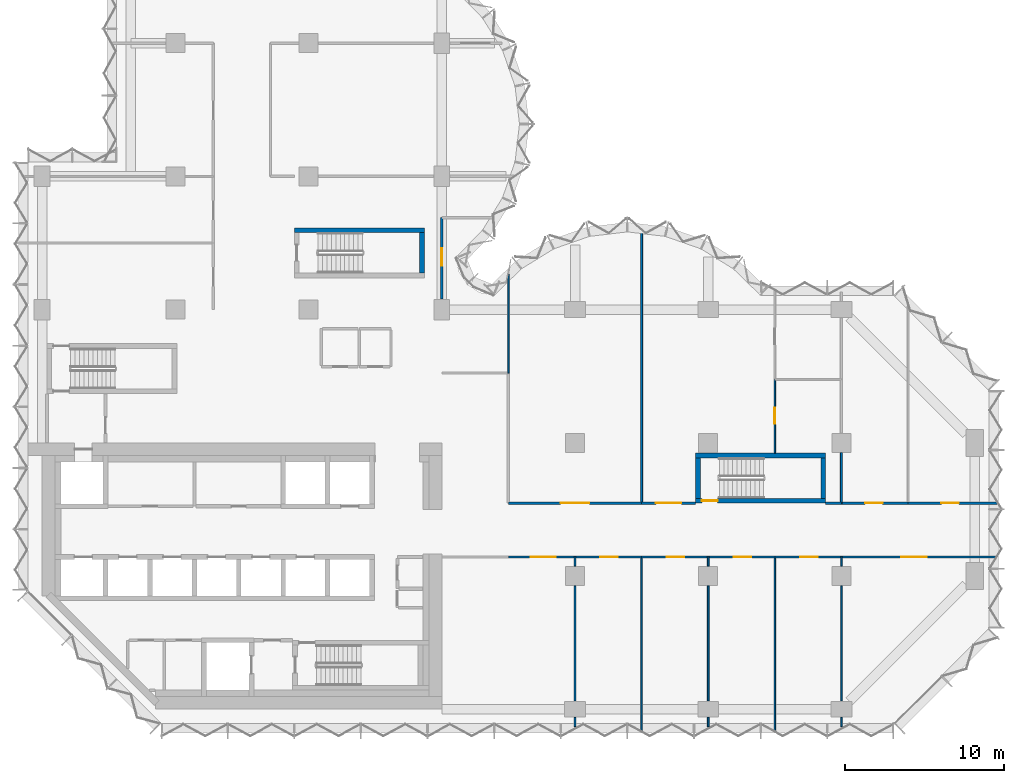
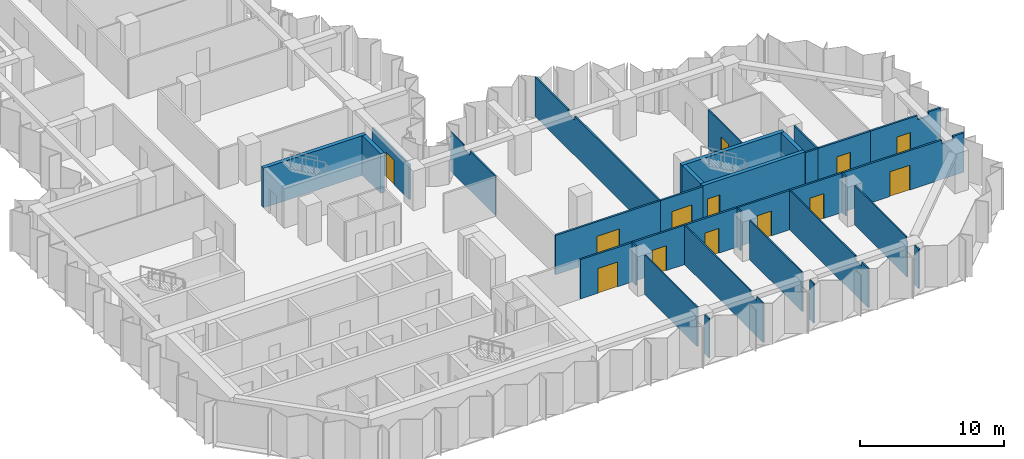
# One storey, part 7 of 11: 33 walls, 13 doors, 13 openings.
"""IFC4 building model written with IfcOpenShell, lengths in metres."""

from ifc_helpers import new_model, si_unit, direction, frame, frame_2d, origin, place, context, subcontext, project, spatial, polyline, rectangle, outline, extrude, material, layer, layer_set, type_object, element, fill, save


model = new_model("IFC4")

# Units and contexts
model_context = context("Model", 3, precision=1e-05, world=origin(), true_north=direction((0.0, 1.0)))
body_context = subcontext(model_context, "Body", "Model", "MODEL_VIEW")
ifc_project = project(units=[si_unit("LENGTHUNIT", "METRE"), si_unit("AREAUNIT", "SQUARE_METRE"), si_unit("VOLUMEUNIT", "CUBIC_METRE"), si_unit("PLANEANGLEUNIT", "RADIAN"), si_unit("MASSUNIT", "GRAM", prefix="KILO")], contexts=[model_context])

# Site, building, storey
site_placement = place(None, origin())
site = spatial("IfcSite", under=ifc_project, at=site_placement, CompositionType="ELEMENT")
building_placement = place(site_placement, origin())
building = spatial("IfcBuilding", under=site, at=building_placement, Name="Brevane Broadcast Tower", CompositionType="ELEMENT")
storey_placement = place(building_placement, frame((0.0, 0.0, 145.699951171875)))
storey = spatial("IfcBuildingStorey", under=building, at=storey_placement, Name="L36", CompositionType="ELEMENT", Elevation=145.699951171875)

# Walls
ifc_material_1 = material(Name="Concrete C60/75", Category="concrete")
ifc_layer_1 = layer(ifc_material_1, 0.300048828125)
ifc_layer_set_1 = layer_set([ifc_layer_1], Name="Core wall 300 mm C60/75")
wall_type_1 = type_object("IfcWallType", Name="Core wall 300 mm C60/75", PredefinedType="SHEAR", material=ifc_layer_set_1)
wall_1_placement = place(storey_placement, frame((15.89990234375, 30.199951171875, 0.0), z_axis=(0.0, 0.0, 1.0), x_axis=(1.0, 0.0, 0.0)))
element("IfcWall", 1, at=wall_1_placement, inside=storey, type_object=wall_type_1, Name="L36 stair wall ST-3-N", PredefinedType="SHEAR", context=body_context, shape_type="SweptSolid", body=[
    extrude(rectangle(XDim=8.2001953125, YDim=0.300048828125, at=frame_2d((4.10009765625, 0.0))), origin(), (0.0, 0.0, 1.0), 3.35009765625),
])
wall_2_placement = place(storey_placement, frame((23.949951171875, 27.5, 0.0), z_axis=(0.0, 0.0, 1.0), x_axis=(0.0, 1.0, 0.0)))
element("IfcWall", 2, at=wall_2_placement, inside=storey, type_object=wall_type_1, Name="L36 stair wall ST-3-E", PredefinedType="SHEAR", context=body_context, shape_type="SweptSolid", body=[
    extrude(rectangle(XDim=2.550048828125, YDim=0.300048828125, at=frame_2d((1.27490234375, 0.0))), origin(), (0.0, 0.0, 1.0), 3.35009765625),
])

# Wall, opening, door
wall_3_placement = place(storey_placement, frame((49.39990234375, 13.14990234375, 0.0), z_axis=(0.0, 0.0, 1.0), x_axis=(-1.0, 0.0, 0.0)))
wall_3 = element("IfcWall", 3, at=wall_3_placement, inside=storey, type_object=wall_type_1, Name="L36 stair wall ST-4-S", PredefinedType="SHEAR", context=body_context, shape_type="SweptSolid", body=[
    extrude(rectangle(XDim=8.199951171875, YDim=0.300048828125, at=frame_2d((4.10009765625, 0.0))), origin(), (0.0, 0.0, 1.0), 3.35009765625),
])
opening_1_placement = place(wall_3_placement, frame((6.800048828125, 0.0, 0.0)))
opening_1 = element("IfcOpeningElement", 4, at=opening_1_placement, cuts=wall_3, Name="Opening L36-K15", PredefinedType="OPENING", context=body_context, shape_type="SweptSolid", body=[
    extrude(rectangle(XDim=1.0, YDim=2.10009765625, at=frame_2d((0.5, 1.050048828125))), frame((0.0, 0.159912109375, 0.0), z_axis=(0.0, -1.0, 0.0), x_axis=(1.0, 0.0, 0.0)), (0.0, 0.0, 1.0), 0.320068359375),
])
ifc_material_2 = material(Name="Steel", Category="steel")
door_type_1 = type_object("IfcDoorType", Name="Stair door 1000 x 2100", OperationType="SINGLE_SWING_LEFT", PredefinedType="DOOR", material=ifc_material_2)
door_1_placement = place(opening_1_placement, origin())
door_1 = element("IfcDoor", 5, at=door_1_placement, inside=storey, type_object=door_type_1, Name="Door L36-K15", OperationType="SINGLE_SWING_LEFT", OverallHeight=2.10009765625, OverallWidth=1.0, PredefinedType="DOOR", context=body_context, shape_type="SweptSolid", body=[
    extrude(rectangle(XDim=1.0, YDim=2.10009765625, at=frame_2d((0.5, 1.050048828125))), frame((0.0, 0.02490234375, 0.0), z_axis=(0.0, -1.0, 0.0), x_axis=(1.0, 0.0, 0.0)), (0.0, 0.0, 1.0), 0.050048828125),
])
fill(opening_1, door_1)

# Walls
wall_4_placement = place(storey_placement, frame((41.199951171875, 16.0, 0.0), z_axis=(0.0, 0.0, 1.0), x_axis=(1.0, 0.0, 0.0)))
element("IfcWall", 6, at=wall_4_placement, inside=storey, type_object=wall_type_1, Name="L36 stair wall ST-4-N", PredefinedType="SHEAR", context=body_context, shape_type="SweptSolid", body=[
    extrude(rectangle(XDim=8.199951171875, YDim=0.300048828125, at=frame_2d((4.10009765625, 0.0))), origin(), (0.0, 0.0, 1.0), 3.35009765625),
])
for number, where, z_axis, x_axis, name in (
    (7, (41.35009765625, 13.300048828125, 0.0), (0.0, 0.0, 1.0), (0.0, 1.0, 0.0), "L36 stair wall ST-4-W"),
    (8, (49.25, 13.300048828125, 0.0), (0.0, 0.0, 1.0), (0.0, 1.0, 0.0), "L36 stair wall ST-4-E"),
):
    element("IfcWall", number, at=place(storey_placement, frame(where, z_axis=z_axis, x_axis=x_axis)), inside=storey, type_object=wall_type_1, Name=name, PredefinedType="SHEAR", context=body_context, shape_type="SweptSolid", body=[
        extrude(rectangle(XDim=2.550048828125, YDim=0.300048828125, at=frame_2d((1.27490234375, 0.0))), origin(), (0.0, 0.0, 1.0), 3.35009765625),
    ])
ifc_material_3 = material(Name="Gypsum board partition")
ifc_layer_2 = layer(ifc_material_3, 0.10009765625)
ifc_layer_set_2 = layer_set([ifc_layer_2], Name="PARTITION 100 STUD")
wall_type_2 = type_object("IfcWallType", Name="PARTITION 100 STUD", PredefinedType="PARTITIONING", material=ifc_layer_set_2)
wall_5_placement = place(storey_placement, frame((29.39990234375, 27.428955078125, 0.0), z_axis=(0.0, 0.0, 1.0), x_axis=(0.0, -1.0, 0.0)))
element("IfcWall", 9, at=wall_5_placement, inside=storey, type_object=wall_type_2, Name="Partition G11-004", PredefinedType="PARTITIONING", context=body_context, shape_type="SweptSolid", body=[
    extrude(outline(polyline([(0.0, 0.0), (6.22900390625, 0.0), (6.22900390625, 3.330078125), (2.678955078125, 3.330078125), (2.677001953125, 2.97998046875), (1.781005859375, 2.97998046875), (1.779052734375, 3.330078125), (0.154052734375, 3.330078125), (0.0, 3.330078125), (0.0, 0.0)])), frame((0.0, 0.050048828125, 0.0), z_axis=(0.0, -1.0, 0.0), x_axis=(1.0, 0.0, 0.0)), (0.0, 0.0, 1.0), 0.10009765625),
])
wall_6_placement = place(storey_placement, frame((33.60009765625, 9.60009765625, 0.0), z_axis=(0.0, 0.0, 1.0), x_axis=(0.0, -1.0, 0.0)))
element("IfcWall", 10, at=wall_6_placement, inside=storey, type_object=wall_type_2, Name="Partition G11-018", PredefinedType="PARTITIONING", context=body_context, shape_type="SweptSolid", body=[
    extrude(rectangle(XDim=0.580078125, YDim=0.10009765625, at=frame_2d((0.2900390625, 0.0))), origin(), (0.0, 0.0, 1.0), 3.330078125),
])
wall_7_placement = place(storey_placement, frame((33.60009765625, 7.780029296875, 0.0), z_axis=(0.0, 0.0, 1.0), x_axis=(0.0, -1.0, 0.0)))
element("IfcWall", 11, at=wall_7_placement, inside=storey, type_object=wall_type_2, Name="Partition G11-019", PredefinedType="PARTITIONING", context=body_context, shape_type="SweptSolid", body=[
    extrude(rectangle(XDim=7.260009765625, YDim=0.10009765625, at=frame_2d((3.6298828125, 0.0))), origin(), (0.0, 0.0, 1.0), 3.330078125),
])
wall_8_placement = place(storey_placement, frame((33.60009765625, -0.52001953125, 0.0), z_axis=(0.0, 0.0, 1.0), x_axis=(0.0, -1.0, 0.0)))
element("IfcWall", 12, at=wall_8_placement, inside=storey, type_object=wall_type_2, Name="Partition G11-020", PredefinedType="PARTITIONING", context=body_context, shape_type="SweptSolid", body=[
    extrude(rectangle(XDim=0.580078125, YDim=0.10009765625, at=frame_2d((0.2900390625, 0.0))), origin(), (0.0, 0.0, 1.0), 3.330078125),
])
wall_9_placement = place(storey_placement, frame((37.800048828125, 9.60009765625, 0.0), z_axis=(0.0, 0.0, 1.0), x_axis=(0.0, -1.0, 0.0)))
element("IfcWall", 13, at=wall_9_placement, inside=storey, type_object=wall_type_2, Name="Partition G11-021", PredefinedType="PARTITIONING", context=body_context, shape_type="SweptSolid", body=[
    extrude(outline(polyline([(0.0, 0.0), (10.965087890625, 0.0), (10.965087890625, 3.330078125), (10.699951171875, 3.330078125), (10.050048828125, 3.330078125), (10.048095703125, 2.97998046875), (9.152099609375, 2.97998046875), (9.14990234375, 3.330078125), (0.0, 3.330078125), (0.0, 0.0)])), frame((0.0, 0.050048828125, 0.0), z_axis=(0.0, -1.0, 0.0), x_axis=(1.0, 0.0, 0.0)), (0.0, 0.0, 1.0), 0.10009765625),
])
wall_10_placement = place(storey_placement, frame((42.0, 9.60009765625, 0.0), z_axis=(0.0, 0.0, 1.0), x_axis=(0.0, -1.0, 0.0)))
element("IfcWall", 14, at=wall_10_placement, inside=storey, type_object=wall_type_2, Name="Partition G11-022", PredefinedType="PARTITIONING", context=body_context, shape_type="SweptSolid", body=[
    extrude(rectangle(XDim=0.580078125, YDim=0.10009765625, at=frame_2d((0.2900390625, 0.0))), origin(), (0.0, 0.0, 1.0), 3.330078125),
])
wall_11_placement = place(storey_placement, frame((42.0, 7.780029296875, 0.0), z_axis=(0.0, 0.0, 1.0), x_axis=(0.0, -1.0, 0.0)))
element("IfcWall", 15, at=wall_11_placement, inside=storey, type_object=wall_type_2, Name="Partition G11-023", PredefinedType="PARTITIONING", context=body_context, shape_type="SweptSolid", body=[
    extrude(rectangle(XDim=7.260009765625, YDim=0.10009765625, at=frame_2d((3.6298828125, 0.0))), origin(), (0.0, 0.0, 1.0), 3.330078125),
])
wall_12_placement = place(storey_placement, frame((42.0, -0.52001953125, 0.0), z_axis=(0.0, 0.0, 1.0), x_axis=(0.0, -1.0, 0.0)))
element("IfcWall", 16, at=wall_12_placement, inside=storey, type_object=wall_type_2, Name="Partition G11-024", PredefinedType="PARTITIONING", context=body_context, shape_type="SweptSolid", body=[
    extrude(rectangle(XDim=0.580078125, YDim=0.10009765625, at=frame_2d((0.2900390625, 0.0))), origin(), (0.0, 0.0, 1.0), 3.330078125),
])
wall_13_placement = place(storey_placement, frame((46.199951171875, 9.60009765625, 0.0), z_axis=(0.0, 0.0, 1.0), x_axis=(0.0, -1.0, 0.0)))
element("IfcWall", 17, at=wall_13_placement, inside=storey, type_object=wall_type_2, Name="Partition G11-025", PredefinedType="PARTITIONING", context=body_context, shape_type="SweptSolid", body=[
    extrude(outline(polyline([(0.0, 0.0), (10.965087890625, 0.0), (10.965087890625, 3.330078125), (10.699951171875, 3.330078125), (10.050048828125, 3.330078125), (10.048095703125, 2.97998046875), (9.152099609375, 2.97998046875), (9.14990234375, 3.330078125), (0.0, 3.330078125), (0.0, 0.0)])), frame((0.0, 0.050048828125, 0.0), z_axis=(0.0, -1.0, 0.0), x_axis=(1.0, 0.0, 0.0)), (0.0, 0.0, 1.0), 0.10009765625),
])
wall_14_placement = place(storey_placement, frame((50.39990234375, 9.60009765625, 0.0), z_axis=(0.0, 0.0, 1.0), x_axis=(0.0, -1.0, 0.0)))
element("IfcWall", 18, at=wall_14_placement, inside=storey, type_object=wall_type_2, Name="Partition G11-026", PredefinedType="PARTITIONING", context=body_context, shape_type="SweptSolid", body=[
    extrude(rectangle(XDim=0.580078125, YDim=0.10009765625, at=frame_2d((0.2900390625, 0.0))), origin(), (0.0, 0.0, 1.0), 3.330078125),
])
wall_15_placement = place(storey_placement, frame((50.39990234375, 7.780029296875, 0.0), z_axis=(0.0, 0.0, 1.0), x_axis=(0.0, -1.0, 0.0)))
element("IfcWall", 19, at=wall_15_placement, inside=storey, type_object=wall_type_2, Name="Partition G11-027", PredefinedType="PARTITIONING", context=body_context, shape_type="SweptSolid", body=[
    extrude(outline(polyline([(0.0, 0.0), (7.260009765625, 0.0), (7.260009765625, 2.97998046875), (7.1162109375, 2.97998046875), (7.1142578125, 3.330078125), (0.0, 3.330078125), (0.0, 0.0)])), frame((0.0, 0.050048828125, 0.0), z_axis=(0.0, -1.0, 0.0), x_axis=(1.0, 0.0, 0.0)), (0.0, 0.0, 1.0), 0.10009765625),
])
wall_16_placement = place(storey_placement, frame((50.39990234375, -0.52001953125, 0.0), z_axis=(0.0, 0.0, 1.0), x_axis=(0.0, -1.0, 0.0)))
element("IfcWall", 20, at=wall_16_placement, inside=storey, type_object=wall_type_2, Name="Partition G11-028", PredefinedType="PARTITIONING", context=body_context, shape_type="SweptSolid", body=[
    extrude(rectangle(XDim=0.580078125, YDim=0.10009765625, at=frame_2d((0.2900390625, 0.0))), origin(), (0.0, 0.0, 1.0), 3.330078125),
])

# Wall, opening, door
wall_17_placement = place(storey_placement, frame((46.199951171875, 20.800048828125, 0.0), z_axis=(0.0, 0.0, 1.0), x_axis=(0.0, -1.0, 0.0)))
wall_17 = element("IfcWall", 21, at=wall_17_placement, inside=storey, type_object=wall_type_2, Name="Partition G11-030", PredefinedType="PARTITIONING", context=body_context, shape_type="SweptSolid", body=[
    extrude(rectangle(XDim=4.650146484375, YDim=0.10009765625, at=frame_2d((2.3251953125, 0.0))), origin(), (0.0, 0.0, 1.0), 3.330078125),
])
opening_2_placement = place(wall_17_placement, frame((1.800048828125, 0.0, 0.0)))
opening_2 = element("IfcOpeningElement", 22, at=opening_2_placement, cuts=wall_17, Name="Opening D18-010", PredefinedType="OPENING", context=body_context, shape_type="SweptSolid", body=[
    extrude(rectangle(XDim=1.0, YDim=2.10009765625, at=frame_2d((0.5, 1.050048828125))), frame((0.0, 0.06005859375, 0.0), z_axis=(0.0, -1.0, 0.0), x_axis=(1.0, 0.0, 0.0)), (0.0, 0.0, 1.0), 0.1201171875),
])
ifc_material_4 = material(Name="Timber door leaf", Category="wood")
door_type_2 = type_object("IfcDoorType", Name="DOOR SINGLE 1000 INTERNAL", OperationType="SINGLE_SWING_LEFT", PredefinedType="DOOR", material=ifc_material_4)
door_2_placement = place(opening_2_placement, origin())
door_2 = element("IfcDoor", 23, at=door_2_placement, inside=storey, type_object=door_type_2, Name="Door D18-010", OperationType="SINGLE_SWING_LEFT", OverallHeight=2.10009765625, OverallWidth=1.0, PredefinedType="DOOR", context=body_context, shape_type="SweptSolid", body=[
    extrude(rectangle(XDim=1.0, YDim=2.10009765625, at=frame_2d((0.5, 1.050048828125))), frame((0.0, 0.02490234375, 0.0), z_axis=(0.0, -1.0, 0.0), x_axis=(1.0, 0.0, 0.0)), (0.0, 0.0, 1.0), 0.050048828125),
])
fill(opening_2, door_2)

# Walls
ifc_layer_3 = layer(ifc_material_3, 0.125)
ifc_layer_set_3 = layer_set([ifc_layer_3], Name="PARTITION 125 ACOUSTIC")
wall_type_3 = type_object("IfcWallType", Name="PARTITION 125 ACOUSTIC", PredefinedType="PARTITIONING", material=ifc_layer_set_3)
wall_18_placement = place(storey_placement, frame((37.800048828125, 30.24267578125, 0.0), z_axis=(0.0, 0.0, 1.0), x_axis=(0.0, -1.0, 0.0)))
element("IfcWall", 24, at=wall_18_placement, inside=storey, type_object=wall_type_3, Name="Partition G11-029", PredefinedType="PARTITIONING", context=body_context, shape_type="SweptSolid", body=[
    extrude(outline(polyline([(0.0, 0.0), (17.24267578125, 0.0), (17.24267578125, 3.330078125), (5.49267578125, 3.330078125), (5.49072265625, 2.97998046875), (4.5947265625, 2.97998046875), (4.5927734375, 3.330078125), (0.0, 3.330078125), (0.0, 0.0)])), frame((0.0, 0.0625, 0.0), z_axis=(0.0, -1.0, 0.0), x_axis=(1.0, 0.0, 0.0)), (0.0, 0.0, 1.0), 0.125),
])
wall_19_placement = place(storey_placement, frame((50.39990234375, 16.179931640625, 0.0), z_axis=(0.0, 0.0, 1.0), x_axis=(0.0, -1.0, 0.0)))
element("IfcWall", 25, at=wall_19_placement, inside=storey, type_object=wall_type_3, Name="Partition G11-034", PredefinedType="PARTITIONING", context=body_context, shape_type="SweptSolid", body=[
    extrude(rectangle(XDim=3.179931640625, YDim=0.125, at=frame_2d((1.58984375, 0.0))), origin(), (0.0, 0.0, 1.0), 3.330078125),
])

# Wall, opening, door
ifc_layer_4 = layer(ifc_material_3, 0.14990234375)
ifc_layer_set_4 = layer_set([ifc_layer_4], Name="PARTITION 150 EI 60")
wall_type_4 = type_object("IfcWallType", Name="PARTITION 150 EI 60", PredefinedType="PARTITIONING", material=ifc_layer_set_4)
wall_20_placement = place(storey_placement, frame((25.199951171875, 31.0, 0.0), z_axis=(0.0, 0.0, 1.0), x_axis=(0.0, -1.0, 0.0)))
wall_20 = element("IfcWall", 26, at=wall_20_placement, inside=storey, type_object=wall_type_4, Name="Partition G11-005", PredefinedType="PARTITIONING", context=body_context, shape_type="SweptSolid", body=[
    extrude(outline(polyline([(0.0, 0.0), (5.1298828125, 0.0), (5.1298828125, 2.97998046875), (0.0, 2.97998046875), (0.0, 0.0)])), frame((0.0, 0.074951171875, 0.0), z_axis=(0.0, -1.0, 0.0), x_axis=(1.0, 0.0, 0.0)), (0.0, 0.0, 1.0), 0.14990234375),
])
opening_3_placement = place(wall_20_placement, frame((1.929931640625, 0.0, 0.0)))
opening_3 = element("IfcOpeningElement", 27, at=opening_3_placement, cuts=wall_20, Name="Opening D18-001", PredefinedType="OPENING", context=body_context, shape_type="SweptSolid", body=[
    extrude(rectangle(XDim=1.10009765625, YDim=2.10009765625, at=frame_2d((0.550048828125, 1.050048828125))), frame((0.0, 0.0849609375, 0.0), z_axis=(0.0, -1.0, 0.0), x_axis=(1.0, 0.0, 0.0)), (0.0, 0.0, 1.0), 0.169921875),
])
ifc_material_5 = material(Name="Fire-rated timber door leaf", Category="wood")
door_type_3 = type_object("IfcDoorType", Name="DOOR SINGLE 1100 FD30S", OperationType="SINGLE_SWING_LEFT", PredefinedType="DOOR", material=ifc_material_5)
door_3_placement = place(opening_3_placement, origin())
door_3 = element("IfcDoor", 28, at=door_3_placement, inside=storey, type_object=door_type_3, Name="Door D18-001", OperationType="SINGLE_SWING_RIGHT", OverallHeight=2.10009765625, OverallWidth=1.10009765625, PredefinedType="DOOR", context=body_context, shape_type="SweptSolid", body=[
    extrude(rectangle(XDim=1.10009765625, YDim=2.10009765625, at=frame_2d((0.550048828125, 1.050048828125))), frame((0.0, 0.02490234375, 0.0), z_axis=(0.0, -1.0, 0.0), x_axis=(1.0, 0.0, 0.0)), (0.0, 0.0, 1.0), 0.050048828125),
])
fill(opening_3, door_3)

wall_21_placement = place(storey_placement, frame((33.60009765625, 9.60009765625, 0.0), z_axis=(0.0, 0.0, 1.0), x_axis=(-1.0, 0.0, 0.0)))
wall_21 = element("IfcWall", 29, at=wall_21_placement, inside=storey, type_object=wall_type_4, Name="Partition G11-007", PredefinedType="PARTITIONING", context=body_context, shape_type="SweptSolid", body=[
    extrude(rectangle(XDim=4.2001953125, YDim=0.14990234375, at=frame_2d((2.10009765625, 0.0))), origin(), (0.0, 0.0, 1.0), 3.330078125),
])
opening_4_placement = place(wall_21_placement, frame((1.199951171875, 0.0, 0.0)))
opening_4 = element("IfcOpeningElement", 30, at=opening_4_placement, cuts=wall_21, Name="Opening D18-002", PredefinedType="OPENING", context=body_context, shape_type="SweptSolid", body=[
    extrude(rectangle(XDim=1.60009765625, YDim=2.10009765625, at=frame_2d((0.800048828125, 1.050048828125))), frame((0.0, 0.0849609375, 0.0), z_axis=(0.0, -1.0, 0.0), x_axis=(1.0, 0.0, 0.0)), (0.0, 0.0, 1.0), 0.169921875),
])
door_type_4 = type_object("IfcDoorType", Name="DOOR DOUBLE 1600 FD30S", OperationType="DOUBLE_DOOR_SINGLE_SWING", PredefinedType="DOOR", material=ifc_material_5)
door_4_placement = place(opening_4_placement, origin())
door_4 = element("IfcDoor", 31, at=door_4_placement, inside=storey, type_object=door_type_4, Name="Door D18-002", OperationType="DOUBLE_DOOR_SINGLE_SWING", OverallHeight=2.10009765625, OverallWidth=1.60009765625, PredefinedType="DOOR", context=body_context, shape_type="SweptSolid", body=[
    extrude(rectangle(XDim=1.60009765625, YDim=2.10009765625, at=frame_2d((0.800048828125, 1.050048828125))), frame((0.0, 0.02490234375, 0.0), z_axis=(0.0, -1.0, 0.0), x_axis=(1.0, 0.0, 0.0)), (0.0, 0.0, 1.0), 0.050048828125),
])
fill(opening_4, door_4)

wall_22_placement = place(storey_placement, frame((37.800048828125, 9.60009765625, 0.0), z_axis=(0.0, 0.0, 1.0), x_axis=(-1.0, 0.0, 0.0)))
wall_22 = element("IfcWall", 32, at=wall_22_placement, inside=storey, type_object=wall_type_4, Name="Partition G11-008", PredefinedType="PARTITIONING", context=body_context, shape_type="SweptSolid", body=[
    extrude(rectangle(XDim=4.199951171875, YDim=0.14990234375, at=frame_2d((2.10009765625, 0.0))), origin(), (0.0, 0.0, 1.0), 3.330078125),
])
opening_5_placement = place(wall_22_placement, frame((1.5, 0.0, 0.0)))
opening_5 = element("IfcOpeningElement", 33, at=opening_5_placement, cuts=wall_22, Name="Opening D18-003", PredefinedType="OPENING", context=body_context, shape_type="SweptSolid", body=[
    extrude(rectangle(XDim=1.10009765625, YDim=2.10009765625, at=frame_2d((0.550048828125, 1.050048828125))), frame((0.0, 0.0849609375, 0.0), z_axis=(0.0, -1.0, 0.0), x_axis=(1.0, 0.0, 0.0)), (0.0, 0.0, 1.0), 0.169921875),
])
door_5_placement = place(opening_5_placement, origin())
door_5 = element("IfcDoor", 34, at=door_5_placement, inside=storey, type_object=door_type_3, Name="Door D18-003", OperationType="SINGLE_SWING_LEFT", OverallHeight=2.10009765625, OverallWidth=1.10009765625, PredefinedType="DOOR", context=body_context, shape_type="SweptSolid", body=[
    extrude(rectangle(XDim=1.10009765625, YDim=2.10009765625, at=frame_2d((0.550048828125, 1.050048828125))), frame((0.0, 0.02490234375, 0.0), z_axis=(0.0, -1.0, 0.0), x_axis=(1.0, 0.0, 0.0)), (0.0, 0.0, 1.0), 0.050048828125),
])
fill(opening_5, door_5)

wall_23_placement = place(storey_placement, frame((42.0, 9.60009765625, 0.0), z_axis=(0.0, 0.0, 1.0), x_axis=(-1.0, 0.0, 0.0)))
wall_23 = element("IfcWall", 35, at=wall_23_placement, inside=storey, type_object=wall_type_4, Name="Partition G11-009", PredefinedType="PARTITIONING", context=body_context, shape_type="SweptSolid", body=[
    extrude(rectangle(XDim=4.199951171875, YDim=0.14990234375, at=frame_2d((2.10009765625, 0.0))), origin(), (0.0, 0.0, 1.0), 3.330078125),
])
opening_6_placement = place(wall_23_placement, frame((1.5, 0.0, 0.0)))
opening_6 = element("IfcOpeningElement", 36, at=opening_6_placement, cuts=wall_23, Name="Opening D18-004", PredefinedType="OPENING", context=body_context, shape_type="SweptSolid", body=[
    extrude(rectangle(XDim=1.10009765625, YDim=2.10009765625, at=frame_2d((0.550048828125, 1.050048828125))), frame((0.0, 0.0849609375, 0.0), z_axis=(0.0, -1.0, 0.0), x_axis=(1.0, 0.0, 0.0)), (0.0, 0.0, 1.0), 0.169921875),
])
door_6_placement = place(opening_6_placement, origin())
door_6 = element("IfcDoor", 37, at=door_6_placement, inside=storey, type_object=door_type_3, Name="Door D18-004", OperationType="SINGLE_SWING_LEFT", OverallHeight=2.10009765625, OverallWidth=1.10009765625, PredefinedType="DOOR", context=body_context, shape_type="SweptSolid", body=[
    extrude(rectangle(XDim=1.10009765625, YDim=2.10009765625, at=frame_2d((0.550048828125, 1.050048828125))), frame((0.0, 0.02490234375, 0.0), z_axis=(0.0, -1.0, 0.0), x_axis=(1.0, 0.0, 0.0)), (0.0, 0.0, 1.0), 0.050048828125),
])
fill(opening_6, door_6)

wall_24_placement = place(storey_placement, frame((46.199951171875, 9.60009765625, 0.0), z_axis=(0.0, 0.0, 1.0), x_axis=(-1.0, 0.0, 0.0)))
wall_24 = element("IfcWall", 38, at=wall_24_placement, inside=storey, type_object=wall_type_4, Name="Partition G11-010", PredefinedType="PARTITIONING", context=body_context, shape_type="SweptSolid", body=[
    extrude(rectangle(XDim=4.199951171875, YDim=0.14990234375, at=frame_2d((2.10009765625, 0.0))), origin(), (0.0, 0.0, 1.0), 3.330078125),
])
opening_7_placement = place(wall_24_placement, frame((1.5, 0.0, 0.0)))
opening_7 = element("IfcOpeningElement", 39, at=opening_7_placement, cuts=wall_24, Name="Opening D18-005", PredefinedType="OPENING", context=body_context, shape_type="SweptSolid", body=[
    extrude(rectangle(XDim=1.10009765625, YDim=2.10009765625, at=frame_2d((0.550048828125, 1.050048828125))), frame((0.0, 0.0849609375, 0.0), z_axis=(0.0, -1.0, 0.0), x_axis=(1.0, 0.0, 0.0)), (0.0, 0.0, 1.0), 0.169921875),
])
door_7_placement = place(opening_7_placement, origin())
door_7 = element("IfcDoor", 40, at=door_7_placement, inside=storey, type_object=door_type_3, Name="Door D18-005", OperationType="SINGLE_SWING_LEFT", OverallHeight=2.10009765625, OverallWidth=1.10009765625, PredefinedType="DOOR", context=body_context, shape_type="SweptSolid", body=[
    extrude(rectangle(XDim=1.10009765625, YDim=2.10009765625, at=frame_2d((0.550048828125, 1.050048828125))), frame((0.0, 0.02490234375, 0.0), z_axis=(0.0, -1.0, 0.0), x_axis=(1.0, 0.0, 0.0)), (0.0, 0.0, 1.0), 0.050048828125),
])
fill(opening_7, door_7)

wall_25_placement = place(storey_placement, frame((50.39990234375, 9.60009765625, 0.0), z_axis=(0.0, 0.0, 1.0), x_axis=(-1.0, 0.0, 0.0)))
wall_25 = element("IfcWall", 41, at=wall_25_placement, inside=storey, type_object=wall_type_4, Name="Partition G11-011", PredefinedType="PARTITIONING", context=body_context, shape_type="SweptSolid", body=[
    extrude(rectangle(XDim=4.199951171875, YDim=0.14990234375, at=frame_2d((2.10009765625, 0.0))), origin(), (0.0, 0.0, 1.0), 3.330078125),
])
opening_8_placement = place(wall_25_placement, frame((1.5, 0.0, 0.0)))
opening_8 = element("IfcOpeningElement", 42, at=opening_8_placement, cuts=wall_25, Name="Opening D18-006", PredefinedType="OPENING", context=body_context, shape_type="SweptSolid", body=[
    extrude(rectangle(XDim=1.10009765625, YDim=2.10009765625, at=frame_2d((0.550048828125, 1.050048828125))), frame((0.0, 0.0849609375, 0.0), z_axis=(0.0, -1.0, 0.0), x_axis=(1.0, 0.0, 0.0)), (0.0, 0.0, 1.0), 0.169921875),
])
door_8_placement = place(opening_8_placement, origin())
door_8 = element("IfcDoor", 43, at=door_8_placement, inside=storey, type_object=door_type_3, Name="Door D18-006", OperationType="SINGLE_SWING_LEFT", OverallHeight=2.10009765625, OverallWidth=1.10009765625, PredefinedType="DOOR", context=body_context, shape_type="SweptSolid", body=[
    extrude(rectangle(XDim=1.10009765625, YDim=2.10009765625, at=frame_2d((0.550048828125, 1.050048828125))), frame((0.0, 0.02490234375, 0.0), z_axis=(0.0, -1.0, 0.0), x_axis=(1.0, 0.0, 0.0)), (0.0, 0.0, 1.0), 0.050048828125),
])
fill(opening_8, door_8)

wall_26_placement = place(storey_placement, frame((60.130615234375, 9.60009765625, 0.0), z_axis=(0.0, 0.0, 1.0), x_axis=(-1.0, 0.0, 0.0)))
wall_26 = element("IfcWall", 44, at=wall_26_placement, inside=storey, type_object=wall_type_4, Name="Partition G11-012", PredefinedType="PARTITIONING", context=body_context, shape_type="SweptSolid", body=[
    extrude(outline(polyline([(0.0, 0.0), (9.730712890625, 0.0), (9.73046875, 3.330078125), (1.780517578125, 3.330078125), (1.778564453125, 2.97998046875), (0.882568359375, 2.97998046875), (0.880615234375, 3.330078125), (0.25048828125, 3.330078125), (0.0, 3.330078125), (0.0, 0.0)])), frame((0.0, 0.074951171875, 0.0), z_axis=(0.0, -1.0, 0.0), x_axis=(1.0, 0.0, 0.0)), (0.0, 0.0, 1.0), 0.14990234375),
])
opening_9_placement = place(wall_26_placement, frame((4.3505859375, 0.0, 0.0)))
opening_9 = element("IfcOpeningElement", 45, at=opening_9_placement, cuts=wall_26, Name="Opening D18-007", PredefinedType="OPENING", context=body_context, shape_type="SweptSolid", body=[
    extrude(rectangle(XDim=1.60009765625, YDim=2.10009765625, at=frame_2d((0.800048828125, 1.050048828125))), frame((0.0, 0.0849609375, 0.0), z_axis=(0.0, -1.0, 0.0), x_axis=(1.0, 0.0, 0.0)), (0.0, 0.0, 1.0), 0.169921875),
])
door_9_placement = place(opening_9_placement, origin())
door_9 = element("IfcDoor", 46, at=door_9_placement, inside=storey, type_object=door_type_4, Name="Door D18-007", OperationType="DOUBLE_DOOR_SINGLE_SWING", OverallHeight=2.10009765625, OverallWidth=1.60009765625, PredefinedType="DOOR", context=body_context, shape_type="SweptSolid", body=[
    extrude(rectangle(XDim=1.60009765625, YDim=2.10009765625, at=frame_2d((0.800048828125, 1.050048828125))), frame((0.0, 0.02490234375, 0.0), z_axis=(0.0, -1.0, 0.0), x_axis=(1.0, 0.0, 0.0)), (0.0, 0.0, 1.0), 0.050048828125),
])
fill(opening_9, door_9)

wall_27_placement = place(storey_placement, frame((29.39990234375, 13.0, 0.0), z_axis=(0.0, 0.0, 1.0), x_axis=(1.0, 0.0, 0.0)))
wall_27 = element("IfcWall", 47, at=wall_27_placement, inside=storey, type_object=wall_type_4, Name="Partition G11-013", PredefinedType="PARTITIONING", context=body_context, shape_type="SweptSolid", body=[
    extrude(rectangle(XDim=8.400146484375, YDim=0.14990234375, at=frame_2d((4.2001953125, 0.0))), origin(), (0.0, 0.0, 1.0), 3.330078125),
])
opening_10_placement = place(wall_27_placement, frame((3.300048828125, 0.0, 0.0)))
opening_10 = element("IfcOpeningElement", 48, at=opening_10_placement, cuts=wall_27, Name="Opening D18-008", PredefinedType="OPENING", context=body_context, shape_type="SweptSolid", body=[
    extrude(rectangle(XDim=1.800048828125, YDim=2.10009765625, at=frame_2d((0.89990234375, 1.050048828125))), frame((0.0, 0.0849609375, 0.0), z_axis=(0.0, -1.0, 0.0), x_axis=(1.0, 0.0, 0.0)), (0.0, 0.0, 1.0), 0.169921875),
])
door_type_5 = type_object("IfcDoorType", Name="DOOR DOUBLE 1800 FD30S", OperationType="DOUBLE_DOOR_SINGLE_SWING", PredefinedType="DOOR", material=ifc_material_5)
door_10_placement = place(opening_10_placement, origin())
door_10 = element("IfcDoor", 49, at=door_10_placement, inside=storey, type_object=door_type_5, Name="Door D18-008", OperationType="DOUBLE_DOOR_SINGLE_SWING", OverallHeight=2.10009765625, OverallWidth=1.800048828125, PredefinedType="DOOR", context=body_context, shape_type="SweptSolid", body=[
    extrude(rectangle(XDim=1.800048828125, YDim=2.10009765625, at=frame_2d((0.89990234375, 1.050048828125))), frame((0.0, 0.02490234375, 0.0), z_axis=(0.0, -1.0, 0.0), x_axis=(1.0, 0.0, 0.0)), (0.0, 0.0, 1.0), 0.050048828125),
])
fill(opening_10, door_10)

wall_28_placement = place(storey_placement, frame((37.800048828125, 13.0, 0.0), z_axis=(0.0, 0.0, 1.0), x_axis=(1.0, 0.0, 0.0)))
wall_28 = element("IfcWall", 50, at=wall_28_placement, inside=storey, type_object=wall_type_4, Name="Partition G11-014", PredefinedType="PARTITIONING", context=body_context, shape_type="SweptSolid", body=[
    extrude(rectangle(XDim=3.39990234375, YDim=0.14990234375, at=frame_2d((1.699951171875, 0.0))), origin(), (0.0, 0.0, 1.0), 3.330078125),
])
opening_11_placement = place(wall_28_placement, frame((0.89990234375, 0.0, 0.0)))
opening_11 = element("IfcOpeningElement", 51, at=opening_11_placement, cuts=wall_28, Name="Opening D18-009", PredefinedType="OPENING", context=body_context, shape_type="SweptSolid", body=[
    extrude(rectangle(XDim=1.60009765625, YDim=2.10009765625, at=frame_2d((0.800048828125, 1.050048828125))), frame((0.0, 0.0849609375, 0.0), z_axis=(0.0, -1.0, 0.0), x_axis=(1.0, 0.0, 0.0)), (0.0, 0.0, 1.0), 0.169921875),
])
door_11_placement = place(opening_11_placement, origin())
door_11 = element("IfcDoor", 52, at=door_11_placement, inside=storey, type_object=door_type_4, Name="Door D18-009", OperationType="DOUBLE_DOOR_SINGLE_SWING", OverallHeight=2.10009765625, OverallWidth=1.60009765625, PredefinedType="DOOR", context=body_context, shape_type="SweptSolid", body=[
    extrude(rectangle(XDim=1.60009765625, YDim=2.10009765625, at=frame_2d((0.800048828125, 1.050048828125))), frame((0.0, 0.02490234375, 0.0), z_axis=(0.0, -1.0, 0.0), x_axis=(1.0, 0.0, 0.0)), (0.0, 0.0, 1.0), 0.050048828125),
])
fill(opening_11, door_11)

# Wall
wall_29_placement = place(storey_placement, frame((49.39990234375, 13.0, 0.0), z_axis=(0.0, 0.0, 1.0), x_axis=(1.0, 0.0, 0.0)))
element("IfcWall", 53, at=wall_29_placement, inside=storey, type_object=wall_type_4, Name="Partition G11-015", PredefinedType="PARTITIONING", context=body_context, shape_type="SweptSolid", body=[
    extrude(rectangle(XDim=1.0, YDim=0.14990234375, at=frame_2d((0.5, 0.0))), origin(), (0.0, 0.0, 1.0), 3.330078125),
])

# Wall, opening, door
wall_30_placement = place(storey_placement, frame((50.39990234375, 13.0, 0.0), z_axis=(0.0, 0.0, 1.0), x_axis=(1.0, 0.0, 0.0)))
wall_30 = element("IfcWall", 54, at=wall_30_placement, inside=storey, type_object=wall_type_4, Name="Partition G11-016", PredefinedType="PARTITIONING", context=body_context, shape_type="SweptSolid", body=[
    extrude(rectangle(XDim=4.2001953125, YDim=0.14990234375, at=frame_2d((2.10009765625, 0.0))), origin(), (0.0, 0.0, 1.0), 3.330078125),
])
opening_12_placement = place(wall_30_placement, frame((1.5, 0.0, 0.0)))
opening_12 = element("IfcOpeningElement", 55, at=opening_12_placement, cuts=wall_30, Name="Opening D18-012", PredefinedType="OPENING", context=body_context, shape_type="SweptSolid", body=[
    extrude(rectangle(XDim=1.10009765625, YDim=2.10009765625, at=frame_2d((0.550048828125, 1.050048828125))), frame((0.0, 0.0849609375, 0.0), z_axis=(0.0, -1.0, 0.0), x_axis=(1.0, 0.0, 0.0)), (0.0, 0.0, 1.0), 0.169921875),
])
door_12_placement = place(opening_12_placement, origin())
door_12 = element("IfcDoor", 56, at=door_12_placement, inside=storey, type_object=door_type_3, Name="Door D18-012", OperationType="SINGLE_SWING_LEFT", OverallHeight=2.10009765625, OverallWidth=1.10009765625, PredefinedType="DOOR", context=body_context, shape_type="SweptSolid", body=[
    extrude(rectangle(XDim=1.10009765625, YDim=2.10009765625, at=frame_2d((0.550048828125, 1.050048828125))), frame((0.0, 0.02490234375, 0.0), z_axis=(0.0, -1.0, 0.0), x_axis=(1.0, 0.0, 0.0)), (0.0, 0.0, 1.0), 0.050048828125),
])
fill(opening_12, door_12)

wall_31_placement = place(storey_placement, frame((54.60009765625, 13.0, 0.0), z_axis=(0.0, 0.0, 1.0), x_axis=(1.0, 0.0, 0.0)))
wall_31 = element("IfcWall", 57, at=wall_31_placement, inside=storey, type_object=wall_type_4, Name="Partition G11-017", PredefinedType="PARTITIONING", context=body_context, shape_type="SweptSolid", body=[
    extrude(outline(polyline([(0.0, 0.0), (5.619384765625, 0.0), (5.619384765625, 3.330078125), (5.280029296875, 3.330078125), (4.64990234375, 3.330078125), (4.64794921875, 2.97998046875), (3.751953125, 2.97998046875), (3.75, 3.330078125), (0.0, 3.330078125), (0.0, 0.0)])), frame((0.0, 0.074951171875, 0.0), z_axis=(0.0, -1.0, 0.0), x_axis=(1.0, 0.0, 0.0)), (0.0, 0.0, 1.0), 0.14990234375),
])
opening_13_placement = place(wall_31_placement, frame((2.10009765625, 0.0, 0.0)))
opening_13 = element("IfcOpeningElement", 58, at=opening_13_placement, cuts=wall_31, Name="Opening D18-013", PredefinedType="OPENING", context=body_context, shape_type="SweptSolid", body=[
    extrude(rectangle(XDim=1.10009765625, YDim=2.10009765625, at=frame_2d((0.550048828125, 1.050048828125))), frame((0.0, 0.0849609375, 0.0), z_axis=(0.0, -1.0, 0.0), x_axis=(1.0, 0.0, 0.0)), (0.0, 0.0, 1.0), 0.169921875),
])
door_13_placement = place(opening_13_placement, origin())
door_13 = element("IfcDoor", 59, at=door_13_placement, inside=storey, type_object=door_type_3, Name="Door D18-013", OperationType="SINGLE_SWING_LEFT", OverallHeight=2.10009765625, OverallWidth=1.10009765625, PredefinedType="DOOR", context=body_context, shape_type="SweptSolid", body=[
    extrude(rectangle(XDim=1.10009765625, YDim=2.10009765625, at=frame_2d((0.550048828125, 1.050048828125))), frame((0.0, 0.02490234375, 0.0), z_axis=(0.0, -1.0, 0.0), x_axis=(1.0, 0.0, 0.0)), (0.0, 0.0, 1.0), 0.050048828125),
])
fill(opening_13, door_13)

save(model, "model.ifc")
